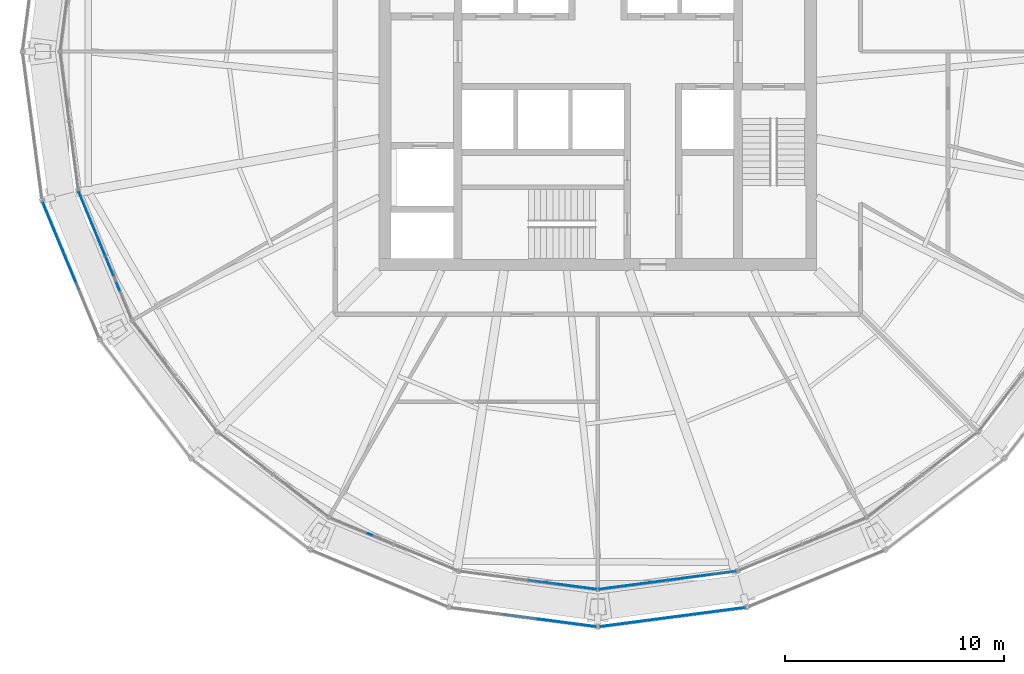
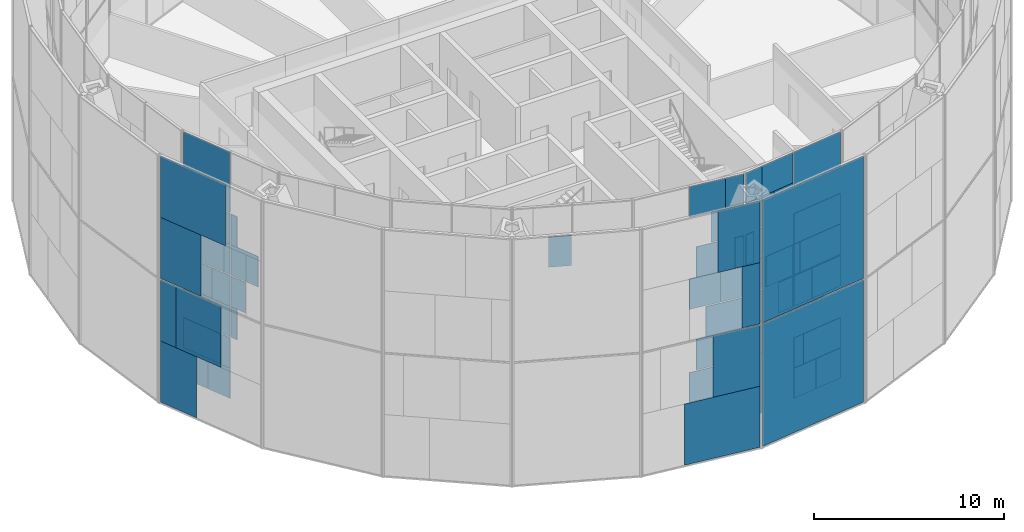
# One storey, part 15 of 30: 62 plates, 7 elements without a shape of their own.
"""IFC4 building model written with IfcOpenShell, lengths in metres."""

from ifc_helpers import new_model, si_unit, direction, frame, origin, origin_2d, place, context, subcontext, project, spatial, rectangle, extrude, material, layer, layer_set, type_object, element, aggregate, save


model = new_model("IFC4")

# Units and contexts
model_context = context("Model", 3, precision=1e-05, world=origin(), true_north=direction((0.0, 1.0)))
body_context = subcontext(model_context, "Body", "Model", "MODEL_VIEW")
ifc_project = project(units=[si_unit("LENGTHUNIT", "METRE"), si_unit("AREAUNIT", "SQUARE_METRE"), si_unit("VOLUMEUNIT", "CUBIC_METRE"), si_unit("PLANEANGLEUNIT", "RADIAN"), si_unit("MASSUNIT", "GRAM", prefix="KILO")], contexts=[model_context])

# Site, building, storey
site_placement = place(None, origin())
site = spatial("IfcSite", under=ifc_project, at=site_placement, CompositionType="ELEMENT")
building_placement = place(site_placement, origin())
building = spatial("IfcBuilding", under=site, at=building_placement, Name="Golbaran Civic Tower", CompositionType="ELEMENT")
storey_placement = place(building_placement, frame((0.0, 0.0, 102.0)))
storey = spatial("IfcBuildingStorey", under=building, at=storey_placement, Name="L24", CompositionType="ELEMENT", Elevation=102.0)

# Curtain wall, plates
ifc_material_1 = material(Name="Aluminium and glass", Category="aluminium")
curtain_wall_type_1 = type_object("IfcCurtainWallType", Name="INNER SKIN CURTAIN WALL", PredefinedType="NOTDEFINED", material=ifc_material_1)
curtain_wall_1_placement = place(storey_placement, origin())
curtain_wall_1 = element("IfcCurtainWall", 1, at=curtain_wall_1_placement, inside=storey, type_object=curtain_wall_type_1, Name="Inner skin L24 facet 14 CW1", ObjectType="INNER SKIN", PredefinedType="USERDEFINED")
ifc_material_2 = material(Name="Clear insulating glass", Category="glass")
ifc_layer_1 = layer(ifc_material_2, 0.031982421875, Name="Clear insulating glass")
ifc_layer_set_1 = layer_set([ifc_layer_1], Name="Clear insulating glass")
plate_type_1 = type_object("IfcPlateType", Name="INNER SKIN CURTAIN WALL GLAZED PANEL", PredefinedType="CURTAIN_PANEL", material=ifc_layer_set_1)
plate_1_placement = place(storey_placement, frame((-22.8046875, -8.620361328125, 0.06494140625), z_axis=(0.0, 0.0, 1.0), x_axis=(0.382683432478, -0.923879532465, 0.0)))
plate_1 = element("IfcPlate", 2, at=plate_1_placement, type_object=plate_type_1, Name="CW1 panel 1.1 part 2", PredefinedType="CURTAIN_PANEL", context=body_context, shape_type="SweptSolid", body=[
    extrude(rectangle(XDim=1.460693359375, YDim=0.031982421875, at=origin_2d()), origin(), (0.0, 0.0, 1.0), 1.951171875),
])
plate_2_placement = place(storey_placement, frame((-22.64990234375, -8.994140625, 2.016357421875), z_axis=(0.0, 0.0, 1.0), x_axis=(0.382683432478, -0.923879532465, 0.0)))
plate_2 = element("IfcPlate", 3, at=plate_2_placement, type_object=plate_type_1, Name="CW1 panel 1.1 part 4", PredefinedType="CURTAIN_PANEL", context=body_context, shape_type="SweptSolid", body=[
    extrude(rectangle(XDim=0.651611328125, YDim=0.031982421875, at=origin_2d()), origin(), (0.0, 0.0, 1.0), 1.951171875),
])
plate_3_placement = place(storey_placement, frame((-23.50439453125, -6.931396484375, 4.03271484375), z_axis=(0.0, 0.0, 1.0), x_axis=(0.382683432478, -0.923879532465, 0.0)))
plate_3 = element("IfcPlate", 4, at=plate_3_placement, type_object=plate_type_1, Name="CW1 panel 1.2 part 1", PredefinedType="CURTAIN_PANEL", context=body_context, shape_type="SweptSolid", body=[
    extrude(rectangle(XDim=1.10400390625, YDim=0.031982421875, at=origin_2d()), origin(), (0.0, 0.0, 1.0), 1.967529296875),
])
plate_4_placement = place(storey_placement, frame((-23.348388671875, -7.307861328125, 6.0), z_axis=(0.0, 0.0, 1.0), x_axis=(0.382683432478, -0.923879532465, 0.0)))
plate_4 = element("IfcPlate", 5, at=plate_4_placement, type_object=plate_type_1, Name="CW1 panel 1.2 part 3", PredefinedType="CURTAIN_PANEL", context=body_context, shape_type="SweptSolid", body=[
    extrude(rectangle(XDim=1.9189453125, YDim=0.031982421875, at=origin_2d()), origin(), (0.0, 0.0, 1.0), 1.967529296875),
])
plate_5_placement = place(storey_placement, frame((-23.197265625, -7.672607421875, 8.03271484375), z_axis=(0.0, 0.0, 1.0), x_axis=(0.382683432478, -0.923879532465, 0.0)))
plate_5 = element("IfcPlate", 6, at=plate_5_placement, type_object=plate_type_1, Name="CW1 panel 1.3 part 1", PredefinedType="CURTAIN_PANEL", context=body_context, shape_type="SweptSolid", body=[
    extrude(rectangle(XDim=2.708984375, YDim=0.031982421875, at=origin_2d()), origin(), (0.0, 0.0, 1.0), 1.967529296875),
])
plate_6_placement = place(storey_placement, frame((-23.120361328125, -7.858154296875, 10.0), z_axis=(0.0, 0.0, 1.0), x_axis=(0.382683432478, -0.923879532465, 0.0)))
plate_6 = element("IfcPlate", 7, at=plate_6_placement, type_object=plate_type_1, Name="CW1 panel 1.3 part 3", PredefinedType="CURTAIN_PANEL", context=body_context, shape_type="SweptSolid", body=[
    extrude(rectangle(XDim=3.110595703125, YDim=0.031982421875, at=origin_2d()), origin(), (0.0, 0.0, 1.0), 1.967529296875),
])
plate_7_placement = place(storey_placement, frame((-23.120361328125, -7.858154296875, 12.0322265625), z_axis=(0.0, 0.0, 1.0), x_axis=(0.382683432478, -0.923879532465, 0.0)))
plate_7 = element("IfcPlate", 8, at=plate_7_placement, type_object=plate_type_1, Name="CW1 panel 1.4", PredefinedType="CURTAIN_PANEL", context=body_context, shape_type="SweptSolid", body=[
    extrude(rectangle(XDim=3.110595703125, YDim=0.031982421875, at=origin_2d()), origin(), (0.0, 0.0, 1.0), 3.902587890625),
])
plate_8_placement = place(storey_placement, frame((-22.423828125, -9.5400390625, 10.0), z_axis=(0.0, 0.0, 1.0), x_axis=(0.382683432478, -0.923879532465, 0.0)))
plate_8 = element("IfcPlate", 9, at=plate_8_placement, type_object=plate_type_1, Name="CW1 panel 2.3 part 3", PredefinedType="CURTAIN_PANEL", context=body_context, shape_type="SweptSolid", body=[
    extrude(rectangle(XDim=0.39990234375, YDim=0.031982421875, at=origin_2d()), origin(), (0.0, 0.0, 1.0), 1.967529296875),
])

# Curtain wall, plate
curtain_wall_2_placement = place(storey_placement, origin())
curtain_wall_2 = element("IfcCurtainWall", 10, at=curtain_wall_2_placement, inside=storey, type_object=curtain_wall_type_1, Name="Inner skin L24 facet 17 CW1", ObjectType="INNER SKIN", PredefinedType="USERDEFINED")
plate_9_placement = place(storey_placement, frame((-9.9287109375, -22.262939453125, 12.032470703125), z_axis=(0.0, 0.0, 1.0), x_axis=(0.923879532465, -0.382683432478, 0.0)))
plate_9 = element("IfcPlate", 11, at=plate_9_placement, type_object=plate_type_1, Name="CW1 panel 1.4 part 2", PredefinedType="CURTAIN_PANEL", context=body_context, shape_type="SweptSolid", body=[
    extrude(rectangle(XDim=1.241455078125, YDim=0.031982421875, at=origin_2d()), origin(), (0.0, 0.0, 1.0), 1.951171875),
])
aggregate(curtain_wall_2, [plate_9])

# Curtain wall, plates
curtain_wall_3_placement = place(storey_placement, origin())
curtain_wall_3 = element("IfcCurtainWall", 12, at=curtain_wall_3_placement, inside=storey, type_object=curtain_wall_type_1, Name="Inner skin L24 facet 18 CW1", ObjectType="INNER SKIN", PredefinedType="USERDEFINED")
plate_10_placement = place(storey_placement, frame((-1.6064453125, -24.366455078125, 0.06494140625), z_axis=(0.0, 0.0, 1.0), x_axis=(0.991444861385, -0.130526192134, 0.0)))
plate_10 = element("IfcPlate", 13, at=plate_10_placement, type_object=plate_type_1, Name="CW1 panel 2.1", PredefinedType="CURTAIN_PANEL", context=body_context, shape_type="SweptSolid", body=[
    extrude(rectangle(XDim=3.110595703125, YDim=0.031982421875, at=origin_2d()), origin(), (0.0, 0.0, 1.0), 3.902587890625),
])
plate_11_placement = place(storey_placement, frame((-1.40771484375, -24.392578125, 4.03271484375), z_axis=(0.0, 0.0, 1.0), x_axis=(0.991444861385, -0.130526192134, 0.0)))
plate_11 = element("IfcPlate", 14, at=plate_11_placement, type_object=plate_type_1, Name="CW1 panel 2.2 part 2", PredefinedType="CURTAIN_PANEL", context=body_context, shape_type="SweptSolid", body=[
    extrude(rectangle(XDim=2.70947265625, YDim=0.031982421875, at=origin_2d()), origin(), (0.0, 0.0, 1.0), 1.967529296875),
])
plate_12_placement = place(storey_placement, frame((-1.140380859375, -24.427978515625, 6.0), z_axis=(0.0, 0.0, 1.0), x_axis=(0.991444861385, -0.130526192134, 0.0)))
plate_12 = element("IfcPlate", 15, at=plate_12_placement, type_object=plate_type_1, Name="CW1 panel 2.2 part 4", PredefinedType="CURTAIN_PANEL", context=body_context, shape_type="SweptSolid", body=[
    extrude(rectangle(XDim=2.170654296875, YDim=0.031982421875, at=origin_2d()), origin(), (0.0, 0.0, 1.0), 1.967529296875),
])
plate_13_placement = place(storey_placement, frame((-0.72314453125, -24.48291015625, 8.03271484375), z_axis=(0.0, 0.0, 1.0), x_axis=(0.991444861385, -0.130526192134, 0.0)))
plate_13 = element("IfcPlate", 16, at=plate_13_placement, type_object=plate_type_1, Name="CW1 panel 2.3 part 2", PredefinedType="CURTAIN_PANEL", context=body_context, shape_type="SweptSolid", body=[
    extrude(rectangle(XDim=1.32861328125, YDim=0.031982421875, at=origin_2d()), origin(), (0.0, 0.0, 1.0), 1.967529296875),
])
plate_14_placement = place(storey_placement, frame((-0.319091796875, -24.535888671875, 10.0), z_axis=(0.0, 0.0, 1.0), x_axis=(0.991444861385, -0.130526192134, 0.0)))
plate_14 = element("IfcPlate", 17, at=plate_14_placement, type_object=plate_type_1, Name="CW1 panel 2.3 part 5", PredefinedType="CURTAIN_PANEL", context=body_context, shape_type="SweptSolid", body=[
    extrude(rectangle(XDim=0.513671875, YDim=0.031982421875, at=origin_2d()), origin(), (0.0, 0.0, 1.0), 1.967529296875),
])
plate_15_placement = place(storey_placement, frame((-2.132080078125, -24.29736328125, 13.98388671875), z_axis=(0.0, 0.0, 1.0), x_axis=(0.991444861385, -0.130526192134, 0.0)))
plate_15 = element("IfcPlate", 18, at=plate_15_placement, type_object=plate_type_1, Name="CW1 panel 2.4 part 3", PredefinedType="CURTAIN_PANEL", context=body_context, shape_type="SweptSolid", body=[
    extrude(rectangle(XDim=2.050048828125, YDim=0.031982421875, at=origin_2d()), origin(), (0.0, 0.0, 1.0), 1.951171875),
])

curtain_wall_4_placement = place(storey_placement, origin())
curtain_wall_4 = element("IfcCurtainWall", 19, at=curtain_wall_4_placement, inside=storey, type_object=curtain_wall_type_1, Name="Inner skin L24 facet 19 CW1", ObjectType="INNER SKIN", PredefinedType="USERDEFINED")
plate_16_placement = place(storey_placement, frame((1.6064453125, -24.366455078125, 0.06494140625), z_axis=(0.0, 0.0, 1.0), x_axis=(0.991444861385, 0.130526192134, 0.0)))
plate_16 = element("IfcPlate", 20, at=plate_16_placement, type_object=plate_type_1, Name="CW1 panel 1.1", PredefinedType="CURTAIN_PANEL", context=body_context, shape_type="SweptSolid", body=[
    extrude(rectangle(XDim=3.110595703125, YDim=0.031982421875, at=origin_2d()), origin(), (0.0, 0.0, 1.0), 3.902587890625),
])
plate_17_placement = place(storey_placement, frame((1.407470703125, -24.392822265625, 4.03271484375), z_axis=(0.0, 0.0, 1.0), x_axis=(0.991444861385, 0.130526192134, 0.0)))
plate_17 = element("IfcPlate", 21, at=plate_17_placement, type_object=plate_type_1, Name="CW1 panel 1.2 part 1", PredefinedType="CURTAIN_PANEL", context=body_context, shape_type="SweptSolid", body=[
    extrude(rectangle(XDim=2.708984375, YDim=0.031982421875, at=origin_2d()), origin(), (0.0, 0.0, 1.0), 1.967529296875),
])
plate_18_placement = place(storey_placement, frame((1.140625, -24.427734375, 6.0), z_axis=(0.0, 0.0, 1.0), x_axis=(0.991444861385, 0.130526192134, 0.0)))
plate_18 = element("IfcPlate", 22, at=plate_18_placement, type_object=plate_type_1, Name="CW1 panel 1.2 part 3", PredefinedType="CURTAIN_PANEL", context=body_context, shape_type="SweptSolid", body=[
    extrude(rectangle(XDim=2.1708984375, YDim=0.031982421875, at=origin_2d()), origin(), (0.0, 0.0, 1.0), 1.967529296875),
])
plate_19_placement = place(storey_placement, frame((0.72314453125, -24.482666015625, 8.03271484375), z_axis=(0.0, 0.0, 1.0), x_axis=(0.991444861385, 0.130526192134, 0.0)))
plate_19 = element("IfcPlate", 23, at=plate_19_placement, type_object=plate_type_1, Name="CW1 panel 1.3 part 1", PredefinedType="CURTAIN_PANEL", context=body_context, shape_type="SweptSolid", body=[
    extrude(rectangle(XDim=1.3291015625, YDim=0.031982421875, at=origin_2d()), origin(), (0.0, 0.0, 1.0), 1.967529296875),
])
plate_20_placement = place(storey_placement, frame((0.3193359375, -24.535888671875, 10.0), z_axis=(0.0, 0.0, 1.0), x_axis=(0.991444861385, 0.130526192134, 0.0)))
plate_20 = element("IfcPlate", 24, at=plate_20_placement, type_object=plate_type_1, Name="CW1 panel 1.3 part 3", PredefinedType="CURTAIN_PANEL", context=body_context, shape_type="SweptSolid", body=[
    extrude(rectangle(XDim=0.513916015625, YDim=0.031982421875, at=origin_2d()), origin(), (0.0, 0.0, 1.0), 1.967529296875),
])
plate_21_placement = place(storey_placement, frame((2.532958984375, -24.24462890625, 12.032470703125), z_axis=(0.0, 0.0, 1.0), x_axis=(0.991444861385, 0.130526192134, 0.0)))
plate_21 = element("IfcPlate", 25, at=plate_21_placement, type_object=plate_type_1, Name="CW1 panel 1.4 part 2", PredefinedType="CURTAIN_PANEL", context=body_context, shape_type="SweptSolid", body=[
    extrude(rectangle(XDim=1.241455078125, YDim=0.031982421875, at=origin_2d()), origin(), (0.0, 0.0, 1.0), 1.951171875),
])
plate_22_placement = place(storey_placement, frame((2.13232421875, -24.29736328125, 13.98388671875), z_axis=(0.0, 0.0, 1.0), x_axis=(0.991444861385, 0.130526192134, 0.0)))
plate_22 = element("IfcPlate", 26, at=plate_22_placement, type_object=plate_type_1, Name="CW1 panel 1.4 part 4", PredefinedType="CURTAIN_PANEL", context=body_context, shape_type="SweptSolid", body=[
    extrude(rectangle(XDim=2.049560546875, YDim=0.031982421875, at=origin_2d()), origin(), (0.0, 0.0, 1.0), 1.951171875),
])
plate_23_placement = place(storey_placement, frame((3.9365234375, -24.059814453125, 0.06494140625), z_axis=(0.0, 0.0, 1.0), x_axis=(0.991444861385, 0.130526192134, 0.0)))
plate_23 = element("IfcPlate", 27, at=plate_23_placement, type_object=plate_type_1, Name="CW1 panel 2.1 part 1", PredefinedType="CURTAIN_PANEL", context=body_context, shape_type="SweptSolid", body=[
    extrude(rectangle(XDim=1.4599609375, YDim=0.031982421875, at=origin_2d()), origin(), (0.0, 0.0, 1.0), 1.951171875),
])
plate_24_placement = place(storey_placement, frame((3.5361328125, -24.112548828125, 2.016357421875), z_axis=(0.0, 0.0, 1.0), x_axis=(0.991444861385, 0.130526192134, 0.0)))
plate_24 = element("IfcPlate", 28, at=plate_24_placement, type_object=plate_type_1, Name="CW1 panel 2.1 part 3", PredefinedType="CURTAIN_PANEL", context=body_context, shape_type="SweptSolid", body=[
    extrude(rectangle(XDim=0.652099609375, YDim=0.031982421875, at=origin_2d()), origin(), (0.0, 0.0, 1.0), 1.951171875),
])
plate_25_placement = place(storey_placement, frame((5.345703125, -23.874267578125, 6.0), z_axis=(0.0, 0.0, 1.0), x_axis=(0.991444861385, 0.130526192134, 0.0)))
plate_25 = element("IfcPlate", 29, at=plate_25_placement, type_object=plate_type_1, Name="CW1 panel 2.2 part 4", PredefinedType="CURTAIN_PANEL", context=body_context, shape_type="SweptSolid", body=[
    extrude(rectangle(XDim=1.91845703125, YDim=0.031982421875, at=origin_2d()), origin(), (0.0, 0.0, 1.0), 1.967529296875),
])
plate_26_placement = place(storey_placement, frame((4.953125, -23.926025390625, 8.03271484375), z_axis=(0.0, 0.0, 1.0), x_axis=(0.991444861385, 0.130526192134, 0.0)))
plate_26 = element("IfcPlate", 30, at=plate_26_placement, type_object=plate_type_1, Name="CW1 panel 2.3 part 2", PredefinedType="CURTAIN_PANEL", context=body_context, shape_type="SweptSolid", body=[
    extrude(rectangle(XDim=2.710693359375, YDim=0.031982421875, at=origin_2d()), origin(), (0.0, 0.0, 1.0), 1.967529296875),
])
plate_27_placement = place(storey_placement, frame((4.7548828125, -23.951904296875, 10.0), z_axis=(0.0, 0.0, 1.0), x_axis=(0.991444861385, 0.130526192134, 0.0)))
plate_27 = element("IfcPlate", 31, at=plate_27_placement, type_object=plate_type_1, Name="CW1 panel 2.3 part 3", PredefinedType="CURTAIN_PANEL", context=body_context, shape_type="SweptSolid", body=[
    extrude(rectangle(XDim=3.110595703125, YDim=0.031982421875, at=origin_2d()), origin(), (0.0, 0.0, 1.0), 1.967529296875),
])
plate_28_placement = place(storey_placement, frame((4.7548828125, -23.951904296875, 12.0322265625), z_axis=(0.0, 0.0, 1.0), x_axis=(0.991444861385, 0.130526192134, 0.0)))
plate_28 = element("IfcPlate", 32, at=plate_28_placement, type_object=plate_type_1, Name="CW1 panel 2.4", PredefinedType="CURTAIN_PANEL", context=body_context, shape_type="SweptSolid", body=[
    extrude(rectangle(XDim=3.110595703125, YDim=0.031982421875, at=origin_2d()), origin(), (0.0, 0.0, 1.0), 3.902587890625),
])

# Plate
ifc_material_3 = material(Name="Aluminium faced opaque infill panel", Category="aluminium")
ifc_layer_2 = layer(ifc_material_3, 0.031982421875, Name="Aluminium faced opaque infill panel")
ifc_layer_set_2 = layer_set([ifc_layer_2], Name="Aluminium faced opaque infill panel")
plate_type_2 = type_object("IfcPlateType", Name="INNER SKIN CURTAIN WALL OPAQUE INFILL PANEL", PredefinedType="CURTAIN_PANEL", material=ifc_layer_set_2)
plate_29_placement = place(storey_placement, frame((-23.39990234375, -7.18359375, 0.06494140625), z_axis=(0.0, 0.0, 1.0), x_axis=(0.382683432478, -0.923879532465, 0.0)))
plate_29 = element("IfcPlate", 33, at=plate_29_placement, type_object=plate_type_2, Name="CW1 infill panel 1.1 part 1", PredefinedType="CURTAIN_PANEL", context=body_context, shape_type="SweptSolid", body=[
    extrude(rectangle(XDim=1.64990234375, YDim=0.031982421875, at=origin_2d()), origin(), (0.0, 0.0, 1.0), 1.951171875),
])

plate_30_placement = place(storey_placement, frame((-23.2451171875, -7.55712890625, 2.016357421875), z_axis=(0.0, 0.0, 1.0), x_axis=(0.382683432478, -0.923879532465, 0.0)))
plate_30 = element("IfcPlate", 34, at=plate_30_placement, type_object=plate_type_2, Name="CW1 infill panel 1.1 part 3", PredefinedType="CURTAIN_PANEL", context=body_context, shape_type="SweptSolid", body=[
    extrude(rectangle(XDim=2.458984375, YDim=0.031982421875, at=origin_2d()), origin(), (0.0, 0.0, 1.0), 1.951171875),
])

plate_31_placement = place(storey_placement, frame((-22.9091796875, -8.3681640625, 4.03271484375), z_axis=(0.0, 0.0, 1.0), x_axis=(0.382683432478, -0.923879532465, 0.0)))
plate_31 = element("IfcPlate", 35, at=plate_31_placement, type_object=plate_type_2, Name="CW1 infill panel 1.2 part 2", PredefinedType="CURTAIN_PANEL", context=body_context, shape_type="SweptSolid", body=[
    extrude(rectangle(XDim=2.006591796875, YDim=0.031982421875, at=origin_2d()), origin(), (0.0, 0.0, 1.0), 1.967529296875),
])

plate_32_placement = place(storey_placement, frame((-22.753173828125, -8.74462890625, 6.0), z_axis=(0.0, 0.0, 1.0), x_axis=(0.382683432478, -0.923879532465, 0.0)))
plate_32 = element("IfcPlate", 36, at=plate_32_placement, type_object=plate_type_2, Name="CW1 infill panel 1.2 part 4", PredefinedType="CURTAIN_PANEL", context=body_context, shape_type="SweptSolid", body=[
    extrude(rectangle(XDim=1.191650390625, YDim=0.031982421875, at=origin_2d()), origin(), (0.0, 0.0, 1.0), 1.967529296875),
])

plate_33_placement = place(storey_placement, frame((-22.60205078125, -9.109619140625, 8.03271484375), z_axis=(0.0, 0.0, 1.0), x_axis=(0.382683432478, -0.923879532465, 0.0)))
plate_33 = element("IfcPlate", 37, at=plate_33_placement, type_object=plate_type_2, Name="CW1 infill panel 1.3 part 2", PredefinedType="CURTAIN_PANEL", context=body_context, shape_type="SweptSolid", body=[
    extrude(rectangle(XDim=0.401611328125, YDim=0.031982421875, at=origin_2d()), origin(), (0.0, 0.0, 1.0), 1.967529296875),
])

plate_34_placement = place(storey_placement, frame((-22.423583984375, -9.540283203125, 4.03271484375), z_axis=(0.0, 0.0, 1.0), x_axis=(0.382683432478, -0.923879532465, 0.0)))
plate_34 = element("IfcPlate", 38, at=plate_34_placement, type_object=plate_type_2, Name="CW1 infill panel 2.2 part 1", PredefinedType="CURTAIN_PANEL", context=body_context, shape_type="SweptSolid", body=[
    extrude(rectangle(XDim=0.40087890625, YDim=0.031982421875, at=origin_2d()), origin(), (0.0, 0.0, 1.0), 1.967529296875),
])

plate_35_placement = place(storey_placement, frame((-22.320556640625, -9.789306640625, 6.0), z_axis=(0.0, 0.0, 1.0), x_axis=(0.382683432478, -0.923879532465, 0.0)))
plate_35 = element("IfcPlate", 39, at=plate_35_placement, type_object=plate_type_2, Name="CW1 infill panel 2.2 part 3", PredefinedType="CURTAIN_PANEL", context=body_context, shape_type="SweptSolid", body=[
    extrude(rectangle(XDim=0.93994140625, YDim=0.031982421875, at=origin_2d()), origin(), (0.0, 0.0, 1.0), 1.967529296875),
])

plate_36_placement = place(storey_placement, frame((-22.159423828125, -10.17822265625, 8.03271484375), z_axis=(0.0, 0.0, 1.0), x_axis=(0.382683432478, -0.923879532465, 0.0)))
plate_36 = element("IfcPlate", 40, at=plate_36_placement, type_object=plate_type_2, Name="CW1 infill panel 2.3 part 1", PredefinedType="CURTAIN_PANEL", context=body_context, shape_type="SweptSolid", body=[
    extrude(rectangle(XDim=1.781982421875, YDim=0.031982421875, at=origin_2d()), origin(), (0.0, 0.0, 1.0), 1.967529296875),
])

aggregate(curtain_wall_1, [plate_29, plate_1, plate_30, plate_2, plate_3, plate_31, plate_4, plate_32, plate_5, plate_33, plate_6, plate_7, plate_34, plate_35, plate_36, plate_8])

plate_37_placement = place(storey_placement, frame((-2.26513671875, -24.27978515625, 8.03271484375), z_axis=(0.0, 0.0, 1.0), x_axis=(0.991444861385, -0.130526192134, 0.0)))
plate_37 = element("IfcPlate", 41, at=plate_37_placement, type_object=plate_type_2, Name="CW1 infill panel 2.3 part 1", PredefinedType="CURTAIN_PANEL", context=body_context, shape_type="SweptSolid", body=[
    extrude(rectangle(XDim=1.781982421875, YDim=0.031982421875, at=origin_2d()), origin(), (0.0, 0.0, 1.0), 1.967529296875),
])

plate_38_placement = place(storey_placement, frame((-1.662841796875, -24.359130859375, 10.0), z_axis=(0.0, 0.0, 1.0), x_axis=(0.991444861385, -0.130526192134, 0.0)))
plate_38 = element("IfcPlate", 42, at=plate_38_placement, type_object=plate_type_2, Name="CW1 infill panel 2.3 part 4", PredefinedType="CURTAIN_PANEL", context=body_context, shape_type="SweptSolid", body=[
    extrude(rectangle(XDim=2.197021484375, YDim=0.031982421875, at=origin_2d()), origin(), (0.0, 0.0, 1.0), 1.967529296875),
])

plate_39_placement = place(storey_placement, frame((-0.99072265625, -24.447509765625, 12.032470703125), z_axis=(0.0, 0.0, 1.0), x_axis=(0.991444861385, -0.130526192134, 0.0)))
plate_39 = element("IfcPlate", 43, at=plate_39_placement, type_object=plate_type_2, Name="CW1 infill panel 2.4 part 2", PredefinedType="CURTAIN_PANEL", context=body_context, shape_type="SweptSolid", body=[
    extrude(rectangle(XDim=1.86865234375, YDim=0.031982421875, at=origin_2d()), origin(), (0.0, 0.0, 1.0), 1.951171875),
])

plate_40_placement = place(storey_placement, frame((-0.590087890625, -24.500244140625, 13.98388671875), z_axis=(0.0, 0.0, 1.0), x_axis=(0.991444861385, -0.130526192134, 0.0)))
plate_40 = element("IfcPlate", 44, at=plate_40_placement, type_object=plate_type_2, Name="CW1 infill panel 2.4 part 4", PredefinedType="CURTAIN_PANEL", context=body_context, shape_type="SweptSolid", body=[
    extrude(rectangle(XDim=1.060546875, YDim=0.031982421875, at=origin_2d()), origin(), (0.0, 0.0, 1.0), 1.951171875),
])

aggregate(curtain_wall_3, [plate_10, plate_11, plate_12, plate_37, plate_13, plate_38, plate_14, plate_39, plate_15, plate_40])

plate_41_placement = place(storey_placement, frame((2.94921875, -24.189697265625, 4.03271484375), z_axis=(0.0, 0.0, 1.0), x_axis=(0.991444861385, 0.130526192134, 0.0)))
plate_41 = element("IfcPlate", 45, at=plate_41_placement, type_object=plate_type_2, Name="CW1 infill panel 1.2 part 2", PredefinedType="CURTAIN_PANEL", context=body_context, shape_type="SweptSolid", body=[
    extrude(rectangle(XDim=0.401611328125, YDim=0.031982421875, at=origin_2d()), origin(), (0.0, 0.0, 1.0), 1.967529296875),
])

plate_42_placement = place(storey_placement, frame((2.6826171875, -24.224853515625, 6.0), z_axis=(0.0, 0.0, 1.0), x_axis=(0.991444861385, 0.130526192134, 0.0)))
plate_42 = element("IfcPlate", 46, at=plate_42_placement, type_object=plate_type_2, Name="CW1 infill panel 1.2 part 4", PredefinedType="CURTAIN_PANEL", context=body_context, shape_type="SweptSolid", body=[
    extrude(rectangle(XDim=0.939453125, YDim=0.031982421875, at=origin_2d()), origin(), (0.0, 0.0, 1.0), 1.967529296875),
])

plate_43_placement = place(storey_placement, frame((2.26513671875, -24.27978515625, 8.03271484375), z_axis=(0.0, 0.0, 1.0), x_axis=(0.991444861385, 0.130526192134, 0.0)))
plate_43 = element("IfcPlate", 47, at=plate_43_placement, type_object=plate_type_2, Name="CW1 infill panel 1.3 part 2", PredefinedType="CURTAIN_PANEL", context=body_context, shape_type="SweptSolid", body=[
    extrude(rectangle(XDim=1.781494140625, YDim=0.031982421875, at=origin_2d()), origin(), (0.0, 0.0, 1.0), 1.967529296875),
])

plate_44_placement = place(storey_placement, frame((1.861328125, -24.3330078125, 10.0), z_axis=(0.0, 0.0, 1.0), x_axis=(0.991444861385, 0.130526192134, 0.0)))
plate_44 = element("IfcPlate", 48, at=plate_44_placement, type_object=plate_type_2, Name="CW1 infill panel 1.3 part 4", PredefinedType="CURTAIN_PANEL", context=body_context, shape_type="SweptSolid", body=[
    extrude(rectangle(XDim=2.5966796875, YDim=0.031982421875, at=origin_2d()), origin(), (0.0, 0.0, 1.0), 1.967529296875),
])

plate_45_placement = place(storey_placement, frame((0.990966796875, -24.447509765625, 12.032470703125), z_axis=(0.0, 0.0, 1.0), x_axis=(0.991444861385, 0.130526192134, 0.0)))
plate_45 = element("IfcPlate", 49, at=plate_45_placement, type_object=plate_type_2, Name="CW1 infill panel 1.4 part 1", PredefinedType="CURTAIN_PANEL", context=body_context, shape_type="SweptSolid", body=[
    extrude(rectangle(XDim=1.868896484375, YDim=0.031982421875, at=origin_2d()), origin(), (0.0, 0.0, 1.0), 1.951171875),
])

plate_46_placement = place(storey_placement, frame((0.59033203125, -24.500244140625, 13.98388671875), z_axis=(0.0, 0.0, 1.0), x_axis=(0.991444861385, 0.130526192134, 0.0)))
plate_46 = element("IfcPlate", 50, at=plate_46_placement, type_object=plate_type_2, Name="CW1 infill panel 1.4 part 3", PredefinedType="CURTAIN_PANEL", context=body_context, shape_type="SweptSolid", body=[
    extrude(rectangle(XDim=1.06103515625, YDim=0.031982421875, at=origin_2d()), origin(), (0.0, 0.0, 1.0), 1.951171875),
])

plate_47_placement = place(storey_placement, frame((5.478515625, -23.856689453125, 0.06494140625), z_axis=(0.0, 0.0, 1.0), x_axis=(0.991444861385, 0.130526192134, 0.0)))
plate_47 = element("IfcPlate", 51, at=plate_47_placement, type_object=plate_type_2, Name="CW1 infill panel 2.1 part 2", PredefinedType="CURTAIN_PANEL", context=body_context, shape_type="SweptSolid", body=[
    extrude(rectangle(XDim=1.650634765625, YDim=0.031982421875, at=origin_2d()), origin(), (0.0, 0.0, 1.0), 1.951171875),
])

plate_48_placement = place(storey_placement, frame((5.078125, -23.909423828125, 2.016357421875), z_axis=(0.0, 0.0, 1.0), x_axis=(0.991444861385, 0.130526192134, 0.0)))
plate_48 = element("IfcPlate", 52, at=plate_48_placement, type_object=plate_type_2, Name="CW1 infill panel 2.1 part 4", PredefinedType="CURTAIN_PANEL", context=body_context, shape_type="SweptSolid", body=[
    extrude(rectangle(XDim=2.45849609375, YDim=0.031982421875, at=origin_2d()), origin(), (0.0, 0.0, 1.0), 1.951171875),
])

plate_49_placement = place(storey_placement, frame((4.207763671875, -24.02392578125, 4.03271484375), z_axis=(0.0, 0.0, 1.0), x_axis=(0.991444861385, 0.130526192134, 0.0)))
plate_49 = element("IfcPlate", 53, at=plate_49_placement, type_object=plate_type_2, Name="CW1 infill panel 2.2 part 1", PredefinedType="CURTAIN_PANEL", context=body_context, shape_type="SweptSolid", body=[
    extrude(rectangle(XDim=2.007080078125, YDim=0.031982421875, at=origin_2d()), origin(), (0.0, 0.0, 1.0), 1.967529296875),
])

plate_50_placement = place(storey_placement, frame((3.8037109375, -24.0771484375, 6.0), z_axis=(0.0, 0.0, 1.0), x_axis=(0.991444861385, 0.130526192134, 0.0)))
plate_50 = element("IfcPlate", 54, at=plate_50_placement, type_object=plate_type_2, Name="CW1 infill panel 2.2 part 3", PredefinedType="CURTAIN_PANEL", context=body_context, shape_type="SweptSolid", body=[
    extrude(rectangle(XDim=1.19189453125, YDim=0.031982421875, at=origin_2d()), origin(), (0.0, 0.0, 1.0), 1.967529296875),
])

plate_51_placement = place(storey_placement, frame((3.4111328125, -24.12890625, 8.03271484375), z_axis=(0.0, 0.0, 1.0), x_axis=(0.991444861385, 0.130526192134, 0.0)))
plate_51 = element("IfcPlate", 55, at=plate_51_placement, type_object=plate_type_2, Name="CW1 infill panel 2.3 part 1", PredefinedType="CURTAIN_PANEL", context=body_context, shape_type="SweptSolid", body=[
    extrude(rectangle(XDim=0.39990234375, YDim=0.031982421875, at=origin_2d()), origin(), (0.0, 0.0, 1.0), 1.967529296875),
])

aggregate(curtain_wall_4, [plate_16, plate_17, plate_41, plate_18, plate_42, plate_19, plate_43, plate_20, plate_44, plate_45, plate_21, plate_46, plate_22, plate_23, plate_47, plate_24, plate_48, plate_49, plate_50, plate_25, plate_51, plate_26, plate_27, plate_28])

# Curtain wall, plates
curtain_wall_type_2 = type_object("IfcCurtainWallType", Name="OUTER SKIN TERRACOTTA SCREEN", PredefinedType="NOTDEFINED", material=ifc_material_1)
curtain_wall_5_placement = place(storey_placement, origin())
curtain_wall_5 = element("IfcCurtainWall", 56, at=curtain_wall_5_placement, inside=storey, type_object=curtain_wall_type_2, Name="Outer skin L24 facet 14 CW3", ObjectType="OUTER SKIN", PredefinedType="USERDEFINED")
ifc_material_4 = material(Name="Clear laminated glass", Category="glass")
ifc_layer_3 = layer(ifc_material_4, 0.0400390625, Name="Clear laminated glass")
ifc_layer_set_3 = layer_set([ifc_layer_3], Name="Clear laminated glass")
plate_type_3 = type_object("IfcPlateType", Name="OUTER SKIN CLEAR GLASS PANEL", PredefinedType="CURTAIN_PANEL", material=ifc_layer_set_3)
plate_52_placement = place(storey_placement, frame((-25.172607421875, -7.346923828125, 3.31005859375), z_axis=(0.0, 0.0, 1.0), x_axis=(0.382683432381, -0.923879532505, 0.0)))
plate_52 = element("IfcPlate", 57, at=plate_52_placement, type_object=plate_type_3, Name="CW3 panel 1.1 part 3", PredefinedType="CURTAIN_PANEL", context=body_context, shape_type="SweptSolid", body=[
    extrude(rectangle(XDim=1.012939453125, YDim=0.0400390625, at=origin_2d()), origin(), (0.0, 0.0, 1.0), 3.93994140625),
])
plate_53_placement = place(storey_placement, frame((-24.85400390625, -8.1162109375, 7.330078125), z_axis=(0.0, 0.0, 1.0), x_axis=(0.382683432381, -0.923879532505, 0.0)))
plate_53 = element("IfcPlate", 58, at=plate_53_placement, type_object=plate_type_3, Name="CW3 panel 1.2 part 1", PredefinedType="CURTAIN_PANEL", context=body_context, shape_type="SweptSolid", body=[
    extrude(rectangle(XDim=2.677978515625, YDim=0.0400390625, at=origin_2d()), origin(), (0.0, 0.0, 1.0), 3.93994140625),
])
plate_54_placement = place(storey_placement, frame((-24.541748046875, -8.8701171875, 11.27001953125), z_axis=(0.0, 0.0, 1.0), x_axis=(0.382683432381, -0.923879532505, 0.0)))
plate_54 = element("IfcPlate", 59, at=plate_54_placement, type_object=plate_type_3, Name="CW3 panel 1.2 part 4", PredefinedType="CURTAIN_PANEL", context=body_context, shape_type="SweptSolid", body=[
    extrude(rectangle(XDim=4.31005859375, YDim=0.0400390625, at=origin_2d()), origin(), (0.0, 0.0, 1.0), 3.93994140625),
])

curtain_wall_6_placement = place(storey_placement, origin())
curtain_wall_6 = element("IfcCurtainWall", 60, at=curtain_wall_6_placement, inside=storey, type_object=curtain_wall_type_2, Name="Outer skin L24 facet 18 CW3", ObjectType="OUTER SKIN", PredefinedType="USERDEFINED")
plate_55_placement = place(storey_placement, frame((-2.21533203125, -26.00146484375, -0.6298828125), z_axis=(0.0, 0.0, 1.0), x_axis=(0.991444861381, -0.130526192168, 0.0)))
plate_55 = element("IfcPlate", 61, at=plate_55_placement, type_object=plate_type_3, Name="CW3 panel 1.1 part 2", PredefinedType="CURTAIN_PANEL", context=body_context, shape_type="SweptSolid", body=[
    extrude(rectangle(XDim=4.308837890625, YDim=0.0400390625, at=origin_2d()), origin(), (0.0, 0.0, 1.0), 3.93994140625),
])
plate_56_placement = place(storey_placement, frame((-1.40625, -26.10791015625, 3.31005859375), z_axis=(0.0, 0.0, 1.0), x_axis=(0.991444861381, -0.130526192168, 0.0)))
plate_56 = element("IfcPlate", 62, at=plate_56_placement, type_object=plate_type_3, Name="CW3 panel 1.1 part 5", PredefinedType="CURTAIN_PANEL", context=body_context, shape_type="SweptSolid", body=[
    extrude(rectangle(XDim=2.6767578125, YDim=0.0400390625, at=origin_2d()), origin(), (0.0, 0.0, 1.0), 3.93994140625),
])
plate_57_placement = place(storey_placement, frame((-0.580810546875, -26.216552734375, 7.330078125), z_axis=(0.0, 0.0, 1.0), x_axis=(0.991444861381, -0.130526192168, 0.0)))
plate_57 = element("IfcPlate", 63, at=plate_57_placement, type_object=plate_type_3, Name="CW3 panel 1.2 part 3", PredefinedType="CURTAIN_PANEL", context=body_context, shape_type="SweptSolid", body=[
    extrude(rectangle(XDim=1.011962890625, YDim=0.0400390625, at=origin_2d()), origin(), (0.0, 0.0, 1.0), 3.93994140625),
])

# Plate
ifc_material_5 = material(Name="Terracotta baguette screen", Category="masonry")
ifc_layer_4 = layer(ifc_material_5, 0.0400390625, Name="Terracotta baguette screen")
ifc_layer_set_4 = layer_set([ifc_layer_4], Name="Terracotta baguette screen")
plate_type_4 = type_object("IfcPlateType", Name="OUTER SKIN TERRACOTTA INFILL PANEL", PredefinedType="CURTAIN_PANEL", material=ifc_layer_set_4)
plate_58_placement = place(storey_placement, frame((-24.908203125, -7.9853515625, -0.6298828125), z_axis=(0.0, 0.0, 1.0), x_axis=(0.382683432381, -0.923879532505, 0.0)))
plate_58 = element("IfcPlate", 64, at=plate_58_placement, type_object=plate_type_4, Name="CW3 infill panel 1.1 part 1", PredefinedType="CURTAIN_PANEL", context=body_context, shape_type="SweptSolid", body=[
    extrude(rectangle(XDim=2.39501953125, YDim=0.0400390625, at=origin_2d()), origin(), (0.0, 0.0, 1.0), 3.93994140625),
])

plate_59_placement = place(storey_placement, frame((-24.402099609375, -9.207275390625, 3.31005859375), z_axis=(0.0, 0.0, 1.0), x_axis=(0.382683432381, -0.923879532505, 0.0)))
plate_59 = element("IfcPlate", 65, at=plate_59_placement, type_object=plate_type_4, Name="CW3 infill panel 1.1 part 4", PredefinedType="CURTAIN_PANEL", context=body_context, shape_type="SweptSolid", body=[
    extrude(rectangle(XDim=3.013916015625, YDim=0.0400390625, at=origin_2d()), origin(), (0.0, 0.0, 1.0), 3.93994140625),
])

aggregate(curtain_wall_5, [plate_58, plate_52, plate_59, plate_53, plate_54])

plate_60_placement = place(storey_placement, frame((-1.26611328125, -26.126220703125, 11.27001953125), z_axis=(0.0, 0.0, 1.0), x_axis=(0.991444861381, -0.130526192168, 0.0)))
plate_60 = element("IfcPlate", 66, at=plate_60_placement, type_object=plate_type_4, Name="CW3 infill panel 1.2 part 5", PredefinedType="CURTAIN_PANEL", context=body_context, shape_type="SweptSolid", body=[
    extrude(rectangle(XDim=2.393798828125, YDim=0.0400390625, at=origin_2d()), origin(), (0.0, 0.0, 1.0), 3.93994140625),
])

aggregate(curtain_wall_6, [plate_55, plate_56, plate_57, plate_60])

# Curtain wall, plates
curtain_wall_7_placement = place(storey_placement, origin())
curtain_wall_7 = element("IfcCurtainWall", 67, at=curtain_wall_7_placement, inside=storey, type_object=curtain_wall_type_2, Name="Outer skin L24 facet 19 CW3", ObjectType="OUTER SKIN", PredefinedType="USERDEFINED")
ifc_layer_5 = layer(ifc_material_5, 0.0400390625, Name="Terracotta baguette screen")
ifc_layer_set_5 = layer_set([ifc_layer_5], Name="Terracotta baguette screen")
plate_type_5 = type_object("IfcPlateType", Name="OUTER SKIN TERRACOTTA SCREEN PANEL", PredefinedType="CURTAIN_PANEL", material=ifc_layer_set_5)
plate_61_placement = place(storey_placement, frame((3.402587890625, -25.844970703125, -0.6298828125), z_axis=(0.0, 0.0, 1.0), x_axis=(0.991444861381, 0.130526192168, 0.0)))
plate_61 = element("IfcPlate", 68, at=plate_61_placement, type_object=plate_type_5, Name="CW3 terracotta screen panel 1.1", PredefinedType="CURTAIN_PANEL", context=body_context, shape_type="SweptSolid", body=[
    extrude(rectangle(XDim=6.703857421875, YDim=0.0400390625, at=origin_2d()), origin(), (0.0, 0.0, 1.0), 7.8798828125),
])
plate_62_placement = place(storey_placement, frame((3.402587890625, -25.844970703125, 7.330078125), z_axis=(0.0, 0.0, 1.0), x_axis=(0.991444861381, 0.130526192168, 0.0)))
plate_62 = element("IfcPlate", 69, at=plate_62_placement, type_object=plate_type_5, Name="CW3 terracotta screen panel 1.2", PredefinedType="CURTAIN_PANEL", context=body_context, shape_type="SweptSolid", body=[
    extrude(rectangle(XDim=6.703857421875, YDim=0.0400390625, at=origin_2d()), origin(), (0.0, 0.0, 1.0), 7.8798828125),
])
aggregate(curtain_wall_7, [plate_61, plate_62])

save(model, "model.ifc")
